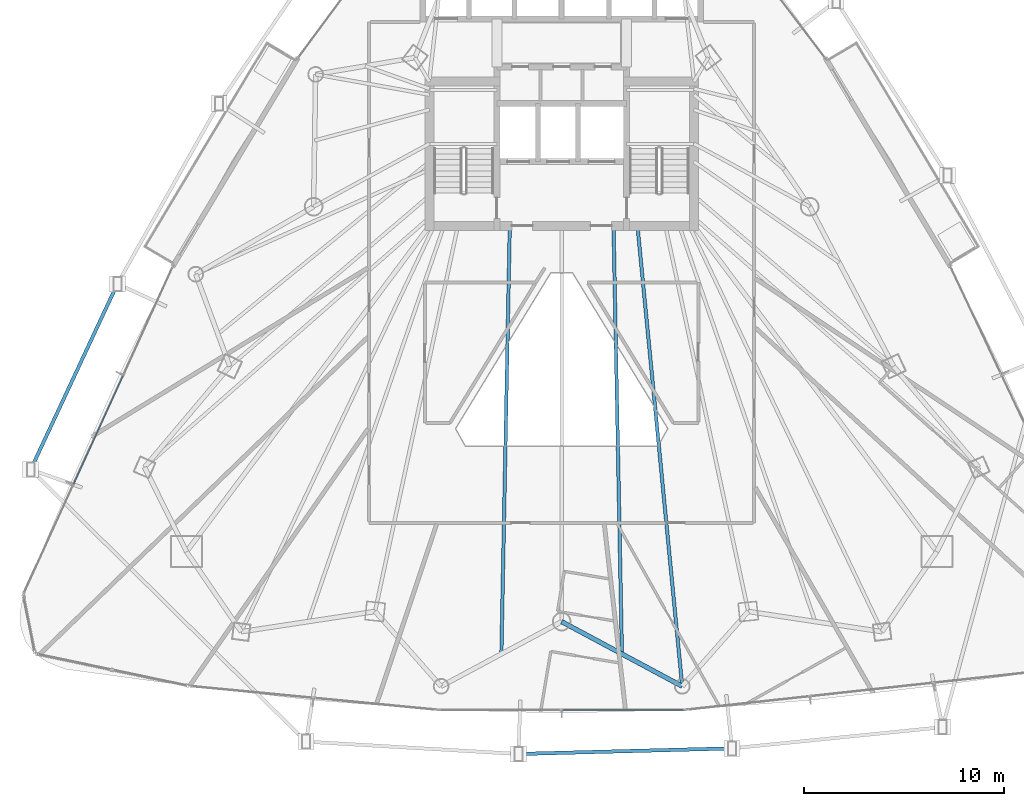
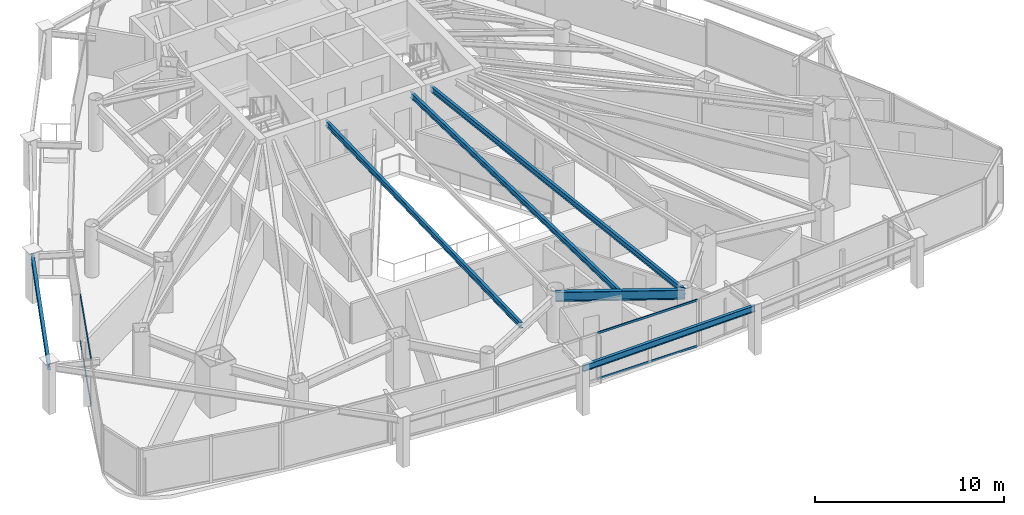
# One storey, part 7 of 33: 6 beams, 4 members, 2 elements without a shape of their own.
"""IFC4 building model written with IfcOpenShell, lengths in metres."""

from ifc_helpers import new_model, si_unit, direction, frame, origin, origin_2d, place, context, subcontext, project, spatial, hollow_rectangle, i_section, extrude, material, layer, layer_set, material_profile, profile_set, type_object, element, aggregate, save


model = new_model("IFC4")

# Units and contexts
model_context = context("Model", 3, precision=1e-05, world=origin(), true_north=direction((0.0, 1.0)))
body_context = subcontext(model_context, "Body", "Model", "MODEL_VIEW")
ifc_project = project(units=[si_unit("LENGTHUNIT", "METRE"), si_unit("AREAUNIT", "SQUARE_METRE"), si_unit("VOLUMEUNIT", "CUBIC_METRE"), si_unit("PLANEANGLEUNIT", "RADIAN"), si_unit("MASSUNIT", "GRAM", prefix="KILO")], contexts=[model_context])

# Site, building, storey
site_placement = place(None, origin())
site = spatial("IfcSite", under=ifc_project, at=site_placement, CompositionType="ELEMENT")
building_placement = place(site_placement, origin())
building = spatial("IfcBuilding", under=site, at=building_placement, Name="Orvanel Arch Residences", CompositionType="ELEMENT")
storey_placement = place(building_placement, frame((0.0, 0.0, 93.949951171875)))
storey = spatial("IfcBuildingStorey", under=building, at=storey_placement, Name="L26", CompositionType="ELEMENT", Elevation=93.949951171875)

# Beams
ifc_material_1 = material(Name="Structural steel AS/NZS 3679.1 Grade 300 (300 MPa)", Category="steel")
ifc_material_profile_1 = material_profile(ifc_material_1, i_section(OverallWidth=0.1708984375, OverallDepth=0.35595703125, WebThickness=0.00732421875, FlangeThickness=0.011474609375, at=origin_2d()), Name="360UB50.7")
ifc_profile_set_1 = profile_set([ifc_material_profile_1], Name="Structural steel AS/NZS 3679.1 Grade 300 (300 MPa)")
beam_type_1 = type_object("IfcBeamType", Name="BJ-360UB", PredefinedType="JOIST", material=ifc_profile_set_1)
for number, where, z_axis, x_axis, name in (
    (1, (30.39990234375, 26.675048828125, 2.842041015625), (-0.019617680075, -0.999807554797, 0.0), (0.999807554797, -0.019617680075, 0.0), "L26 WSW2 Wing Floor Joist"),
    (2, (35.60009765625, 26.675048828125, 2.842041015625), (0.019617680075, -0.999807554797, 0.0), (0.999807554797, 0.019617680075, 0.0), "L26 ESE2 Wing Floor Joist"),
):
    element("IfcBeam", number, at=place(storey_placement, frame(where, z_axis=z_axis, x_axis=x_axis)), inside=storey, type_object=beam_type_1, Name=name, PredefinedType="JOIST", context=body_context, shape_type="SweptSolid", body=[
        extrude(i_section(OverallWidth=0.1708984375, OverallDepth=0.35595703125, WebThickness=0.00732421875, FlangeThickness=0.011474609375, at=origin_2d()), origin(), (0.0, 0.0, 1.0), 21.455078125),
    ])
beam_1_placement = place(storey_placement, frame((36.800048828125, 26.675048828125, 2.842041015625), z_axis=(0.096724091756, -0.995311232768, 0.0), x_axis=(0.995311232768, 0.096724091756, 0.0)))
element("IfcBeam", 3, at=beam_1_placement, inside=storey, type_object=beam_type_1, Name="L26 LSE Wing Floor Joist", PredefinedType="JOIST", context=body_context, shape_type="SweptSolid", body=[
    extrude(i_section(OverallWidth=0.1708984375, OverallDepth=0.35595703125, WebThickness=0.00732421875, FlangeThickness=0.011474609375, at=origin_2d()), origin(), (0.0, 0.0, 1.0), 23.1787109375),
])
ifc_material_profile_2 = material_profile(ifc_material_1, i_section(OverallWidth=0.177978515625, OverallDepth=0.406005859375, WebThickness=0.0078125, FlangeThickness=0.0126953125, at=origin_2d()), Name="410UB59.7")
ifc_profile_set_2 = profile_set([ifc_material_profile_2], Name="Structural steel AS/NZS 3679.1 Grade 300 (300 MPa)")
beam_type_2 = type_object("IfcBeamType", Name="OB-410UB-EXT", PredefinedType="SPANDREL", material=ifc_profile_set_2)
beam_2_placement = place(storey_placement, frame((10.735107421875, 23.77099609375, 2.817138671875), z_axis=(-0.422984370359, -0.906136977742, 0.0), x_axis=(0.906136977742, -0.422984370359, 0.0)))
element("IfcBeam", 4, at=beam_2_placement, inside=storey, type_object=beam_type_2, Name="L26 Outer Perimeter Floor Ring Beam 03", PredefinedType="SPANDREL", context=body_context, shape_type="SweptSolid", body=[
    extrude(i_section(OverallWidth=0.177978515625, OverallDepth=0.406005859375, WebThickness=0.0078125, FlangeThickness=0.0126953125, at=origin_2d()), origin(), (0.0, 0.0, 1.0), 10.269775390625),
])
beam_3_placement = place(storey_placement, frame((30.8369140625, 0.2119140625, 2.817138671875), z_axis=(0.999652670773, 0.026354085384, 0.0), x_axis=(-0.026354085384, 0.999652670773, 0.0)))
element("IfcBeam", 5, at=beam_3_placement, inside=storey, type_object=beam_type_2, Name="L26 Outer Perimeter Floor Ring Beam 06", PredefinedType="SPANDREL", context=body_context, shape_type="SweptSolid", body=[
    extrude(i_section(OverallWidth=0.177978515625, OverallDepth=0.406005859375, WebThickness=0.0078125, FlangeThickness=0.0126953125, at=origin_2d()), origin(), (0.0, 0.0, 1.0), 10.69970703125),
])
ifc_material_profile_3 = material_profile(ifc_material_1, i_section(OverallWidth=0.22900390625, OverallDepth=0.612060546875, WebThickness=0.011962890625, FlangeThickness=0.01953125, at=origin_2d()), Name="610UB125")
ifc_profile_set_3 = profile_set([ifc_material_profile_3], Name="Structural steel AS/NZS 3679.1 Grade 300 (300 MPa)")
beam_type_3 = type_object("IfcBeamType", Name="SP-610UB", PredefinedType="SPANDREL", material=ifc_profile_set_3)
beam_4_placement = place(storey_placement, frame((33.0, 6.843994140625, 2.714111328125), z_axis=(0.881344400551, -0.472474388319, 0.0), x_axis=(0.472474388319, 0.881344400551, 0.0)))
element("IfcBeam", 6, at=beam_4_placement, inside=storey, type_object=beam_type_3, Name="L26 Perimeter Spandrel Beam 07", PredefinedType="SPANDREL", context=body_context, shape_type="SweptSolid", body=[
    extrude(i_section(OverallWidth=0.22900390625, OverallDepth=0.612060546875, WebThickness=0.011962890625, FlangeThickness=0.01953125, at=origin_2d()), origin(), (0.0, 0.0, 1.0), 6.85546875),
])

# Curtain wall, members
ifc_material_2 = material(Name="Bronze-anodised aluminium AA6063-T6", Category="aluminium")
ifc_layer = layer(ifc_material_2, 0.179931640625)
ifc_layer_set = layer_set([ifc_layer], Name="Bronze-anodised aluminium AA6063-T6")
curtain_wall_type = type_object("IfcCurtainWallType", Name="CW2-LOW-SYS", PredefinedType="NOTDEFINED", material=ifc_layer_set)
curtain_wall_1_placement = place(storey_placement, origin())
curtain_wall_1 = element("IfcCurtainWall", 7, at=curtain_wall_1_placement, inside=storey, type_object=curtain_wall_type, Name="L26 CW2-LOW-SYS Unitised Curtain Wall", PredefinedType="NOTDEFINED")
ifc_material_profile_4 = material_profile(ifc_material_2, hollow_rectangle(XDim=0.06005859375, YDim=0.135009765625, WallThickness=0.00390625, at=origin_2d()), Name="ALU135x60x4")
ifc_profile_set_4 = profile_set([ifc_material_profile_4], Name="Bronze-anodised aluminium AA6063-T6")
member_type = type_object("IfcMemberType", Name="TRN-135x60", PredefinedType="USERDEFINED", material=ifc_profile_set_4)
member_1_placement = place(storey_placement, frame((11.018798828125, 19.168701171875, 0.030029296875), z_axis=(-0.415001615187, -0.909820674305, 0.0), x_axis=(0.909820674305, -0.415001615187, 0.0)))
member_1 = element("IfcMember", 8, at=member_1_placement, type_object=member_type, Name="CW-S2 transom 2.1", ObjectType="TRANSOM", PredefinedType="USERDEFINED", context=body_context, shape_type="SweptSolid", body=[
    extrude(hollow_rectangle(XDim=0.06005859375, YDim=0.135009765625, WallThickness=0.00390625, at=origin_2d()), origin(), (0.0, 0.0, 1.0), 5.967529296875),
])
member_2_placement = place(storey_placement, frame((11.018798828125, 19.168701171875, 2.989990234375), z_axis=(-0.415001615187, -0.909820674305, 0.0), x_axis=(0.909820674305, -0.415001615187, 0.0)))
member_2 = element("IfcMember", 9, at=member_2_placement, type_object=member_type, Name="CW-S2 transom 2.2", ObjectType="TRANSOM", PredefinedType="USERDEFINED", context=body_context, shape_type="SweptSolid", body=[
    extrude(hollow_rectangle(XDim=0.06005859375, YDim=0.135009765625, WallThickness=0.00390625, at=origin_2d()), origin(), (0.0, 0.0, 1.0), 5.967529296875),
])
aggregate(curtain_wall_1, [member_1, member_2])

curtain_wall_2_placement = place(storey_placement, origin())
curtain_wall_2 = element("IfcCurtainWall", 10, at=curtain_wall_2_placement, inside=storey, type_object=curtain_wall_type, Name="L26 CW2-LOW-SYS Unitised Curtain Wall", PredefinedType="NOTDEFINED")
member_3_placement = place(storey_placement, frame((33.034912109375, 2.422119140625, 0.030029296875), z_axis=(1.0, 0.0, 0.0), x_axis=(0.0, 1.0, 0.0)))
member_3 = element("IfcMember", 11, at=member_3_placement, type_object=member_type, Name="CW-S2 transom 2.1", ObjectType="TRANSOM", PredefinedType="USERDEFINED", context=body_context, shape_type="SweptSolid", body=[
    extrude(hollow_rectangle(XDim=0.06005859375, YDim=0.135009765625, WallThickness=0.00390625, at=origin_2d()), origin(), (0.0, 0.0, 1.0), 6.092041015625),
])
member_4_placement = place(storey_placement, frame((33.034912109375, 2.422119140625, 2.989990234375), z_axis=(1.0, 0.0, 0.0), x_axis=(0.0, 1.0, 0.0)))
member_4 = element("IfcMember", 12, at=member_4_placement, type_object=member_type, Name="CW-S2 transom 2.2", ObjectType="TRANSOM", PredefinedType="USERDEFINED", context=body_context, shape_type="SweptSolid", body=[
    extrude(hollow_rectangle(XDim=0.06005859375, YDim=0.135009765625, WallThickness=0.00390625, at=origin_2d()), origin(), (0.0, 0.0, 1.0), 6.092041015625),
])
aggregate(curtain_wall_2, [member_3, member_4])

save(model, "model.ifc")
